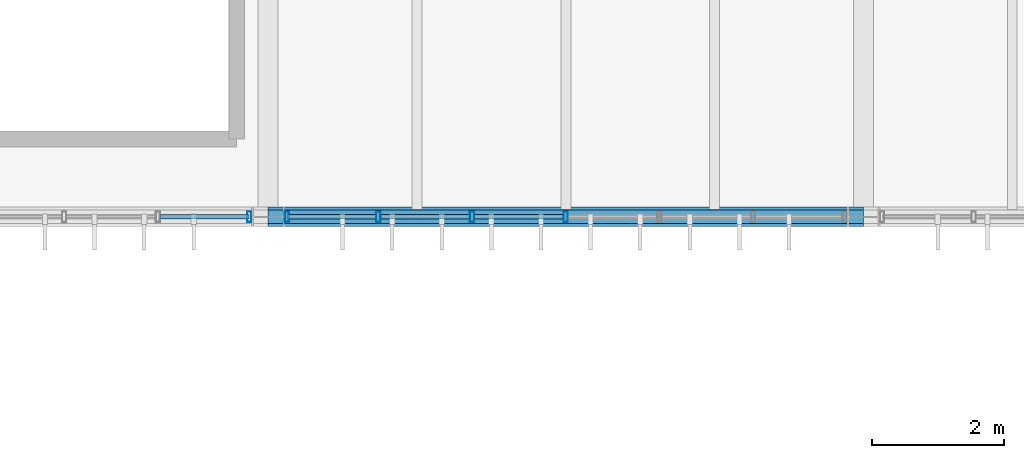
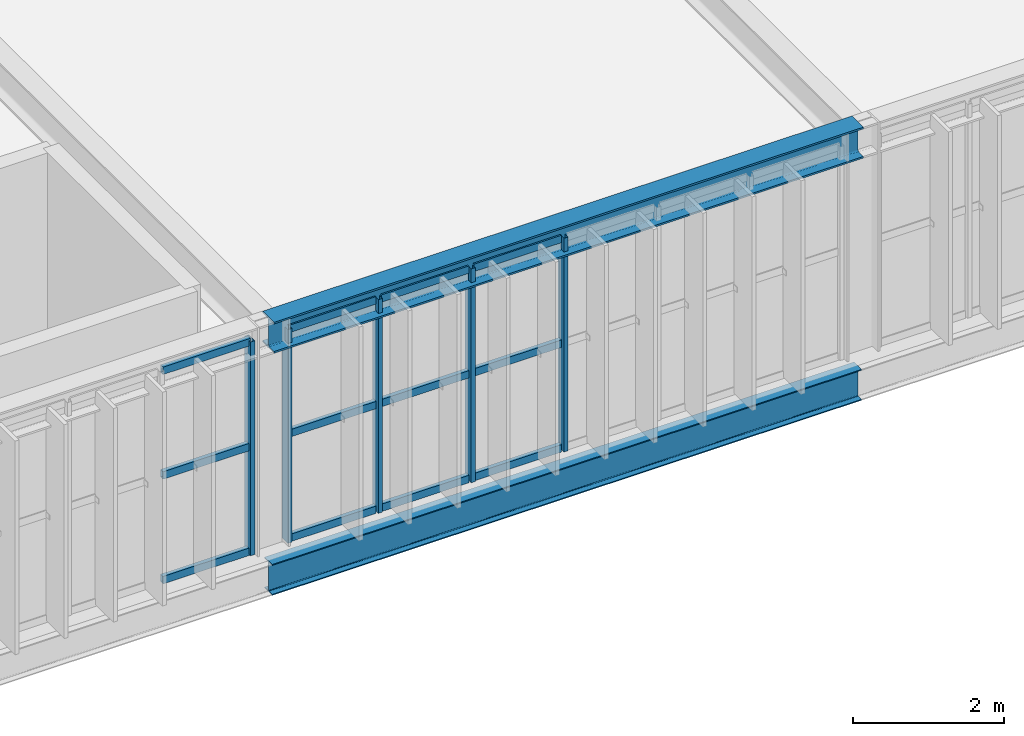
# One storey, part 38 of 152: 17 members, 2 beams, 2 elements without a shape of their own.
"""IFC4 building model written with IfcOpenShell, lengths in metres."""

from ifc_helpers import new_model, si_unit, derived_unit, direction, frame, origin, origin_2d, place, context, subcontext, project, spatial, hollow_rectangle, i_section, extrude, material, material_profile, profile_set, type_object, element, aggregate, save


model = new_model("IFC4")

# Units and contexts
model_context = context("Model", 3, precision=1e-05, world=origin(), true_north=direction((0.0, 1.0)))
body_context = subcontext(model_context, "Body", "Model", "MODEL_VIEW")
ifc_project = project(units=[si_unit("LENGTHUNIT", "METRE"), si_unit("AREAUNIT", "SQUARE_METRE"), si_unit("VOLUMEUNIT", "CUBIC_METRE"), si_unit("PLANEANGLEUNIT", "RADIAN"), si_unit("MASSUNIT", "GRAM", prefix="KILO"), si_unit("THERMODYNAMICTEMPERATUREUNIT", "KELVIN"), si_unit("TIMEUNIT", "SECOND"), derived_unit("THERMALTRANSMITTANCEUNIT", [(si_unit("MASSUNIT", "GRAM", prefix="KILO"), 1), (si_unit("THERMODYNAMICTEMPERATUREUNIT", "KELVIN"), -1), (si_unit("TIMEUNIT", "SECOND"), -3)])], contexts=[model_context])

# Site, building, storey
site_placement = place(None, origin())
site = spatial("IfcSite", under=ifc_project, at=site_placement, CompositionType="ELEMENT")
building_placement = place(site_placement, origin())
building = spatial("IfcBuilding", under=site, at=building_placement, Name="Cambertide Market Hall", CompositionType="ELEMENT")
storey_placement = place(building_placement, frame((0.0, 0.0, 5.39990234375)))
storey = spatial("IfcBuildingStorey", under=building, at=storey_placement, Name="L02", CompositionType="ELEMENT", Elevation=5.39990234375)

# Curtain wall, member
ifc_material_1 = material(Name="Marine Anodized Aluminium 6063-T6 AA25", Category="aluminium")
curtain_wall_type = type_object("IfcCurtainWallType", Name="Lantern Straight Upper Curtain Wall", PredefinedType="USERDEFINED", material=ifc_material_1)
curtain_wall_1_placement = place(storey_placement, origin())
curtain_wall_1 = element("IfcCurtainWall", 1, at=curtain_wall_1_placement, inside=storey, type_object=curtain_wall_type, Name="Level 2 Curtain Wall CW-V1S-L02-5", ObjectType="UNITIZED CURTAIN WALL", PredefinedType="USERDEFINED")
ifc_material_2 = material(Name="Champagne Marine Anodized Aluminium 6063-T6 AA25", Category="aluminium")
ifc_material_profile_1 = material_profile(ifc_material_2, hollow_rectangle(XDim=0.06494140625, YDim=0.159912109375, WallThickness=0.00341796875, at=origin_2d()), Name="ALU MULLION 65x160")
ifc_profile_set_1 = profile_set([ifc_material_profile_1], Name="Champagne Marine Anodized Aluminium 6063-T6 AA25")
member_type_1 = type_object("IfcMemberType", Name="Curtain Wall Mullion ALU MULLION 65x160", PredefinedType="MULLION", material=ifc_profile_set_1)
member_1_placement = place(storey_placement, frame((86.715087890625, 52.0, 0.0), z_axis=(0.0, 0.0, 1.0), x_axis=(-1.0, 0.0, 0.0)))
member_1 = element("IfcMember", 2, at=member_1_placement, type_object=member_type_1, Name="CW-V1S-L02-5 Mullion 1", PredefinedType="MULLION", context=body_context, shape_type="SweptSolid", body=[
    extrude(hollow_rectangle(XDim=0.06494140625, YDim=0.159912109375, WallThickness=0.00341796875, at=origin_2d()), origin(), (0.0, 0.0, 1.0), 3.4501953125),
])

# Curtain wall, members
curtain_wall_2_placement = place(storey_placement, origin())
curtain_wall_2 = element("IfcCurtainWall", 3, at=curtain_wall_2_placement, inside=storey, type_object=curtain_wall_type, Name="Level 2 Curtain Wall CW-V1S-L02-6", ObjectType="UNITIZED CURTAIN WALL", PredefinedType="USERDEFINED")
member_2_placement = place(storey_placement, frame((91.5, 52.0, 0.0), z_axis=(0.0, 0.0, 1.0), x_axis=(-1.0, 0.0, 0.0)))
member_2 = element("IfcMember", 4, at=member_2_placement, type_object=member_type_1, Name="CW-V1S-L02-6 Mullion 4", PredefinedType="MULLION", context=body_context, shape_type="SweptSolid", body=[
    extrude(hollow_rectangle(XDim=0.06494140625, YDim=0.159912109375, WallThickness=0.00341796875, at=origin_2d()), origin(), (0.0, 0.0, 1.0), 3.4501953125),
])
member_3_placement = place(storey_placement, frame((90.083251953125, 52.0, 0.0), z_axis=(0.0, 0.0, 1.0), x_axis=(-1.0, 0.0, 0.0)))
member_3 = element("IfcMember", 5, at=member_3_placement, type_object=member_type_1, Name="CW-V1S-L02-6 Mullion 5", PredefinedType="MULLION", context=body_context, shape_type="SweptSolid", body=[
    extrude(hollow_rectangle(XDim=0.06494140625, YDim=0.159912109375, WallThickness=0.00341796875, at=origin_2d()), origin(), (0.0, 0.0, 1.0), 3.4501953125),
])
member_4_placement = place(storey_placement, frame((88.666748046875, 52.0, 0.0), z_axis=(0.0, 0.0, 1.0), x_axis=(-1.0, 0.0, 0.0)))
member_4 = element("IfcMember", 6, at=member_4_placement, type_object=member_type_1, Name="CW-V1S-L02-6 Mullion 6", PredefinedType="MULLION", context=body_context, shape_type="SweptSolid", body=[
    extrude(hollow_rectangle(XDim=0.06494140625, YDim=0.159912109375, WallThickness=0.00341796875, at=origin_2d()), origin(), (0.0, 0.0, 1.0), 3.4501953125),
])
member_5_placement = place(storey_placement, frame((87.284912109375, 52.0, 0.0), z_axis=(0.0, 0.0, 1.0), x_axis=(-1.0, 0.0, 0.0)))
member_5 = element("IfcMember", 7, at=member_5_placement, type_object=member_type_1, Name="CW-V1S-L02-6 Mullion 7", PredefinedType="MULLION", context=body_context, shape_type="SweptSolid", body=[
    extrude(hollow_rectangle(XDim=0.06494140625, YDim=0.159912109375, WallThickness=0.00341796875, at=origin_2d()), origin(), (0.0, 0.0, 1.0), 3.4501953125),
])

# Member
ifc_material_3 = material(Name="Champagne Marine Anodized Aluminium 6063-T6 AA25", Category="aluminium")
ifc_material_profile_2 = material_profile(ifc_material_3, hollow_rectangle(XDim=0.06494140625, YDim=0.1201171875, WallThickness=0.003173828125, at=origin_2d()), Name="ALU TRANSOM 65x120")
ifc_profile_set_2 = profile_set([ifc_material_profile_2], Name="Champagne Marine Anodized Aluminium 6063-T6 AA25")
member_type_2 = type_object("IfcMemberType", Name="Curtain Wall Transom ALU TRANSOM 65x120", PredefinedType="USERDEFINED", material=ifc_profile_set_2)
member_6_placement = place(storey_placement, frame((86.7099609375, 52.0, 0.03515625), z_axis=(-1.0, 0.0, 0.0), x_axis=(0.0, -1.0, 0.0)))
member_6 = element("IfcMember", 8, at=member_6_placement, type_object=member_type_2, Name="CW-V1S-L02-5 Transom 1-1", ObjectType="TRANSOM", PredefinedType="USERDEFINED", context=body_context, shape_type="SweptSolid", body=[
    extrude(hollow_rectangle(XDim=0.06494140625, YDim=0.1201171875, WallThickness=0.003173828125, at=origin_2d()), origin(), (0.0, 0.0, 1.0), 1.336669921875),
])

member_7_placement = place(storey_placement, frame((86.7099609375, 52.0, 1.72509765625), z_axis=(-1.0, 0.0, 0.0), x_axis=(0.0, -1.0, 0.0)))
member_7 = element("IfcMember", 9, at=member_7_placement, type_object=member_type_2, Name="CW-V1S-L02-5 Transom 2-1", ObjectType="TRANSOM", PredefinedType="USERDEFINED", context=body_context, shape_type="SweptSolid", body=[
    extrude(hollow_rectangle(XDim=0.06494140625, YDim=0.1201171875, WallThickness=0.003173828125, at=origin_2d()), origin(), (0.0, 0.0, 1.0), 1.336669921875),
])

member_8_placement = place(storey_placement, frame((86.7099609375, 52.0, 3.4150390625), z_axis=(-1.0, 0.0, 0.0), x_axis=(0.0, -1.0, 0.0)))
member_8 = element("IfcMember", 10, at=member_8_placement, type_object=member_type_2, Name="CW-V1S-L02-5 Transom 3-1", ObjectType="TRANSOM", PredefinedType="USERDEFINED", context=body_context, shape_type="SweptSolid", body=[
    extrude(hollow_rectangle(XDim=0.06494140625, YDim=0.1201171875, WallThickness=0.003173828125, at=origin_2d()), origin(), (0.0, 0.0, 1.0), 1.336669921875),
])

aggregate(curtain_wall_1, [member_1, member_6, member_7, member_8])

member_9_placement = place(storey_placement, frame((91.4599609375, 52.0, 0.03515625), z_axis=(-1.0, 0.0, 0.0), x_axis=(0.0, -1.0, 0.0)))
member_9 = element("IfcMember", 11, at=member_9_placement, type_object=member_type_2, Name="CW-V1S-L02-6 Transom 1-4", ObjectType="TRANSOM", PredefinedType="USERDEFINED", context=body_context, shape_type="SweptSolid", body=[
    extrude(hollow_rectangle(XDim=0.06494140625, YDim=0.1201171875, WallThickness=0.003173828125, at=origin_2d()), origin(), (0.0, 0.0, 1.0), 1.336669921875),
])

member_10_placement = place(storey_placement, frame((90.043212890625, 52.0, 0.03515625), z_axis=(-1.0, 0.0, 0.0), x_axis=(0.0, -1.0, 0.0)))
member_10 = element("IfcMember", 12, at=member_10_placement, type_object=member_type_2, Name="CW-V1S-L02-6 Transom 1-5", ObjectType="TRANSOM", PredefinedType="USERDEFINED", context=body_context, shape_type="SweptSolid", body=[
    extrude(hollow_rectangle(XDim=0.06494140625, YDim=0.1201171875, WallThickness=0.003173828125, at=origin_2d()), origin(), (0.0, 0.0, 1.0), 1.33642578125),
])

member_11_placement = place(storey_placement, frame((88.626708984375, 52.0, 0.03515625), z_axis=(-1.0, 0.0, 0.0), x_axis=(0.0, -1.0, 0.0)))
member_11 = element("IfcMember", 13, at=member_11_placement, type_object=member_type_2, Name="CW-V1S-L02-6 Transom 1-6", ObjectType="TRANSOM", PredefinedType="USERDEFINED", context=body_context, shape_type="SweptSolid", body=[
    extrude(hollow_rectangle(XDim=0.06494140625, YDim=0.1201171875, WallThickness=0.003173828125, at=origin_2d()), origin(), (0.0, 0.0, 1.0), 1.336669921875),
])

member_12_placement = place(storey_placement, frame((91.4599609375, 52.0, 1.72509765625), z_axis=(-1.0, 0.0, 0.0), x_axis=(0.0, -1.0, 0.0)))
member_12 = element("IfcMember", 14, at=member_12_placement, type_object=member_type_2, Name="CW-V1S-L02-6 Transom 2-4", ObjectType="TRANSOM", PredefinedType="USERDEFINED", context=body_context, shape_type="SweptSolid", body=[
    extrude(hollow_rectangle(XDim=0.06494140625, YDim=0.1201171875, WallThickness=0.003173828125, at=origin_2d()), origin(), (0.0, 0.0, 1.0), 1.336669921875),
])

member_13_placement = place(storey_placement, frame((90.043212890625, 52.0, 1.72509765625), z_axis=(-1.0, 0.0, 0.0), x_axis=(0.0, -1.0, 0.0)))
member_13 = element("IfcMember", 15, at=member_13_placement, type_object=member_type_2, Name="CW-V1S-L02-6 Transom 2-5", ObjectType="TRANSOM", PredefinedType="USERDEFINED", context=body_context, shape_type="SweptSolid", body=[
    extrude(hollow_rectangle(XDim=0.06494140625, YDim=0.1201171875, WallThickness=0.003173828125, at=origin_2d()), origin(), (0.0, 0.0, 1.0), 1.33642578125),
])

member_14_placement = place(storey_placement, frame((88.626708984375, 52.0, 1.72509765625), z_axis=(-1.0, 0.0, 0.0), x_axis=(0.0, -1.0, 0.0)))
member_14 = element("IfcMember", 16, at=member_14_placement, type_object=member_type_2, Name="CW-V1S-L02-6 Transom 2-6", ObjectType="TRANSOM", PredefinedType="USERDEFINED", context=body_context, shape_type="SweptSolid", body=[
    extrude(hollow_rectangle(XDim=0.06494140625, YDim=0.1201171875, WallThickness=0.003173828125, at=origin_2d()), origin(), (0.0, 0.0, 1.0), 1.336669921875),
])

member_15_placement = place(storey_placement, frame((91.4599609375, 52.0, 3.4150390625), z_axis=(-1.0, 0.0, 0.0), x_axis=(0.0, -1.0, 0.0)))
member_15 = element("IfcMember", 17, at=member_15_placement, type_object=member_type_2, Name="CW-V1S-L02-6 Transom 3-4", ObjectType="TRANSOM", PredefinedType="USERDEFINED", context=body_context, shape_type="SweptSolid", body=[
    extrude(hollow_rectangle(XDim=0.06494140625, YDim=0.1201171875, WallThickness=0.003173828125, at=origin_2d()), origin(), (0.0, 0.0, 1.0), 1.336669921875),
])

member_16_placement = place(storey_placement, frame((90.043212890625, 52.0, 3.4150390625), z_axis=(-1.0, 0.0, 0.0), x_axis=(0.0, -1.0, 0.0)))
member_16 = element("IfcMember", 18, at=member_16_placement, type_object=member_type_2, Name="CW-V1S-L02-6 Transom 3-5", ObjectType="TRANSOM", PredefinedType="USERDEFINED", context=body_context, shape_type="SweptSolid", body=[
    extrude(hollow_rectangle(XDim=0.06494140625, YDim=0.1201171875, WallThickness=0.003173828125, at=origin_2d()), origin(), (0.0, 0.0, 1.0), 1.33642578125),
])

member_17_placement = place(storey_placement, frame((88.626708984375, 52.0, 3.4150390625), z_axis=(-1.0, 0.0, 0.0), x_axis=(0.0, -1.0, 0.0)))
member_17 = element("IfcMember", 19, at=member_17_placement, type_object=member_type_2, Name="CW-V1S-L02-6 Transom 3-6", ObjectType="TRANSOM", PredefinedType="USERDEFINED", context=body_context, shape_type="SweptSolid", body=[
    extrude(hollow_rectangle(XDim=0.06494140625, YDim=0.1201171875, WallThickness=0.003173828125, at=origin_2d()), origin(), (0.0, 0.0, 1.0), 1.336669921875),
])

aggregate(curtain_wall_2, [member_2, member_3, member_4, member_5, member_9, member_10, member_11, member_12, member_13, member_14, member_15, member_16, member_17])

# Beams
ifc_material_4 = material(Name="Steel S355", Category="steel")
ifc_material_profile_3 = material_profile(ifc_material_4, i_section(OverallWidth=0.300048828125, OverallDepth=0.5, WebThickness=0.014404296875, FlangeThickness=0.028076171875, FilletRadius=0.027099609375, at=origin_2d()), Name="HEB 500")
ifc_profile_set_3 = profile_set([ifc_material_profile_3], Name="Steel S355")
beam_type_1 = type_object("IfcBeamType", Name="Exterior Steel Girder HEB 500", PredefinedType="BEAM", material=ifc_profile_set_3)
beam_1_placement = place(storey_placement, frame((87.0, 52.0, 3.4501953125), z_axis=(1.0, 0.0, 0.0), x_axis=(0.0, 1.0, 0.0)))
element("IfcBeam", 20, at=beam_1_placement, inside=storey, type_object=beam_type_1, Name="Level 2 Beam EAVE-V1S-6", PredefinedType="BEAM", context=body_context, shape_type="SweptSolid", body=[
    extrude(i_section(OverallWidth=0.300048828125, OverallDepth=0.5, WebThickness=0.014404296875, FlangeThickness=0.028076171875, FilletRadius=0.027099609375, at=origin_2d()), origin(), (0.0, 0.0, 1.0), 9.0),
])
ifc_material_5 = material(Name="Steel S355", Category="steel")
ifc_material_profile_4 = material_profile(ifc_material_5, i_section(OverallWidth=0.199951171875, OverallDepth=0.5, WebThickness=0.01025390625, FlangeThickness=0.01611328125, FilletRadius=0.02099609375, at=origin_2d()), Name="IPE 500")
ifc_profile_set_4 = profile_set([ifc_material_profile_4], Name="Steel S355")
beam_type_2 = type_object("IfcBeamType", Name="Perimeter Spandrel Beam IPE 500", PredefinedType="SPANDREL", material=ifc_profile_set_4)
beam_2_placement = place(storey_placement, frame((87.0, 52.0, -0.489990234375), z_axis=(1.0, 0.0, 0.0), x_axis=(0.0, 1.0, 0.0)))
element("IfcBeam", 21, at=beam_2_placement, inside=storey, type_object=beam_type_2, Name="Level 2 Spandrel BM-V1S-L02-6", PredefinedType="SPANDREL", context=body_context, shape_type="SweptSolid", body=[
    extrude(i_section(OverallWidth=0.199951171875, OverallDepth=0.5, WebThickness=0.01025390625, FlangeThickness=0.01611328125, FilletRadius=0.02099609375, at=origin_2d()), origin(), (0.0, 0.0, 1.0), 9.0),
])

save(model, "model.ifc")
